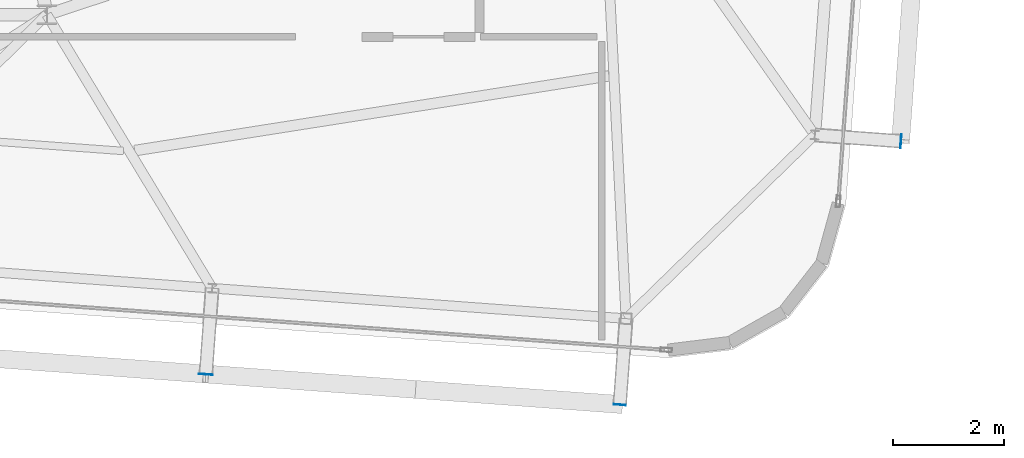
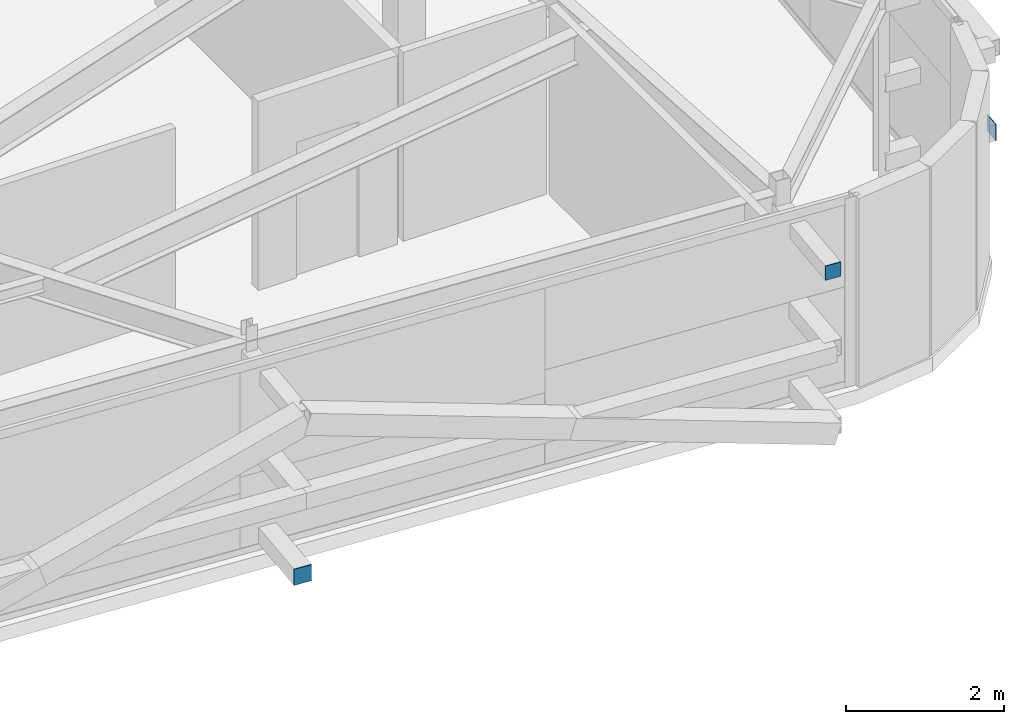
# One storey, part 27 of 34: 3 plates.
"""IFC4 building model written with IfcOpenShell, lengths in metres."""

from ifc_helpers import new_model, si_unit, direction, frame, origin, origin_2d, place, context, subcontext, project, spatial, rectangle, extrude, source, transform, mapped, material, layer, layer_set, type_object, element, save


model = new_model("IFC4")

# Units and contexts
model_context = context("Model", 3, precision=1e-05, world=origin(), true_north=direction((0.0, 1.0)))
body_context = subcontext(model_context, "Body", "Model", "MODEL_VIEW")
ifc_project = project(units=[si_unit("LENGTHUNIT", "METRE"), si_unit("AREAUNIT", "SQUARE_METRE"), si_unit("VOLUMEUNIT", "CUBIC_METRE"), si_unit("PLANEANGLEUNIT", "RADIAN"), si_unit("MASSUNIT", "GRAM", prefix="KILO")], contexts=[model_context])

# Site, building, storey
site_placement = place(None, origin())
site = spatial("IfcSite", under=ifc_project, at=site_placement, CompositionType="ELEMENT")
building_placement = place(site_placement, origin())
building = spatial("IfcBuilding", under=site, at=building_placement, Name="Taldren Reach Tower", CompositionType="ELEMENT")
storey_placement = place(building_placement, frame((0.0, 0.0, 246.050048828125)))
storey = spatial("IfcBuildingStorey", under=building, at=storey_placement, Name="L75", CompositionType="ELEMENT", Elevation=246.050048828125)

# Plates
ifc_material_1 = material(Name="Steel Gr 350 (C350L0)", Category="steel")
ifc_layer_1 = layer(ifc_material_1, 0.011962890625)
ifc_layer_set_1 = layer_set([ifc_layer_1], Name="Steel Gr 350 (C350L0)")
plate_type_1 = type_object("IfcPlateType", Name="PL-CAP-250", PredefinedType="SHEET", material=ifc_layer_set_1)
shared_shape_1 = source(origin(), body_context, "Body", "SweptSolid", [
    extrude(rectangle(XDim=0.25, YDim=0.011962890625, at=origin_2d()), origin(), (0.0, 0.0, 1.0), 0.25),
])
plate_1_placement = place(storey_placement, frame((44.866455078125, 2.717041015625, 0.094970703125), z_axis=(0.0, 0.0, 1.0), x_axis=(0.997314477224, -0.073238197128, 0.0)))
element("IfcPlate", 1, at=plate_1_placement, inside=storey, type_object=plate_type_1, Name="Tie strut end cap plate B5-S5 L75", PredefinedType="SHEET", context=body_context, shape_type="MappedRepresentation", body=[
    mapped(shared_shape_1, transform((0.0, 0.0, 0.0), scale=1.0)),
])
shared_shape_2 = source(origin(), body_context, "Body", "SweptSolid", [
    extrude(rectangle(XDim=0.011962890625, YDim=0.25, at=origin_2d()), origin(), (0.0, 0.0, 1.0), 0.25),
])
plate_2_placement = place(storey_placement, frame((57.3935546875, 6.9169921875, 0.094970703125), z_axis=(0.0, 0.0, 1.0), x_axis=(0.997314477224, -0.073238197128, 0.0)))
element("IfcPlate", 2, at=plate_2_placement, inside=storey, type_object=plate_type_1, Name="Tie strut end cap plate B5-E1 L75", PredefinedType="SHEET", context=body_context, shape_type="MappedRepresentation", body=[
    mapped(shared_shape_2, transform((0.0, 0.0, 0.0), scale=1.0)),
])
ifc_material_2 = material(Name="Steel Gr 450 (C450L0)", Category="steel")
ifc_layer_2 = layer(ifc_material_2, 0.011962890625)
ifc_layer_set_2 = layer_set([ifc_layer_2], Name="Steel Gr 450 (C450L0)")
plate_type_2 = type_object("IfcPlateType", Name="PL-CAP-220", PredefinedType="SHEET", material=ifc_layer_set_2)
shared_shape_3 = source(origin(), body_context, "Body", "SweptSolid", [
    extrude(rectangle(XDim=0.219970703125, YDim=0.011962890625, at=origin_2d()), origin(), (0.0, 0.0, 1.0), 0.219970703125),
])
plate_3_placement = place(storey_placement, frame((52.326171875, 2.169189453125, 2.5400390625), z_axis=(0.0, 0.0, 1.0), x_axis=(0.997314477224, -0.073238197128, 0.0)))
element("IfcPlate", 3, at=plate_3_placement, inside=storey, type_object=plate_type_2, Name="Tie strut end cap plate B5-S6 L75", PredefinedType="SHEET", context=body_context, shape_type="MappedRepresentation", body=[
    mapped(shared_shape_3, transform((0.0, 0.0, 0.0), scale=1.0)),
])

save(model, "model.ifc")
